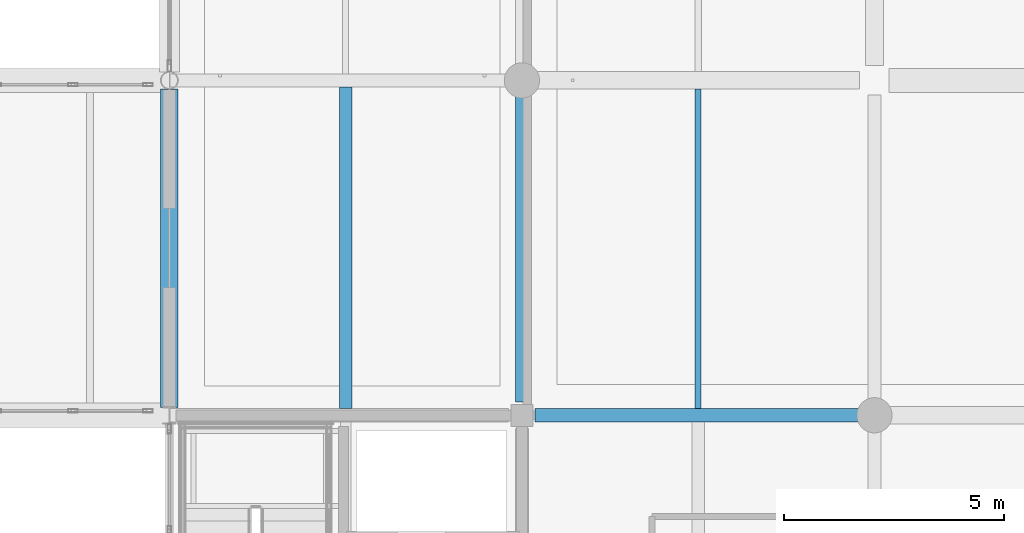
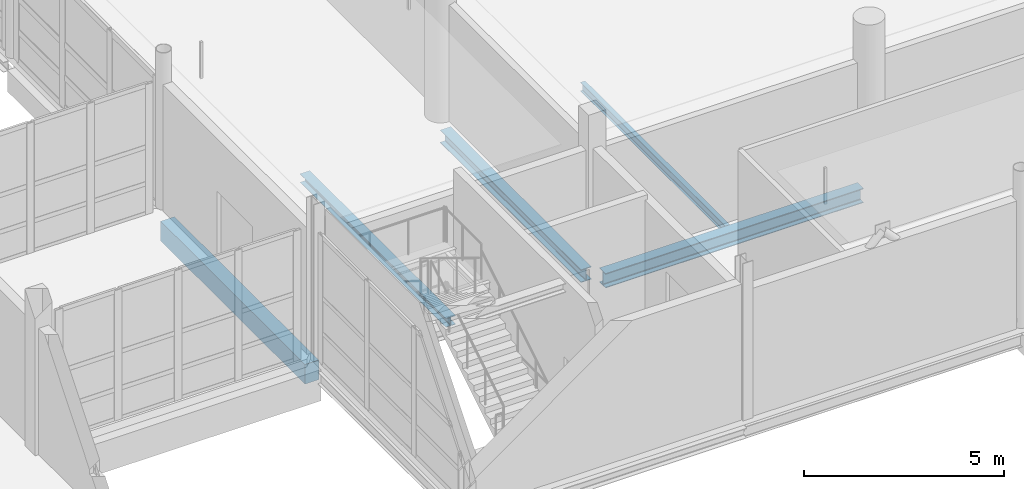
# One storey, part 46 of 141: 5 beams.
"""IFC4 building model written with IfcOpenShell, lengths in metres."""

from ifc_helpers import new_model, si_unit, direction, frame, origin, origin_2d, place, context, subcontext, project, spatial, rectangle, i_section, extrude, material, material_profile, profile_set, type_object, element, save


model = new_model("IFC4")

# Units and contexts
model_context = context("Model", 3, precision=1e-05, world=origin(), true_north=direction((0.0, 1.0)))
body_context = subcontext(model_context, "Body", "Model", "MODEL_VIEW")
ifc_project = project(units=[si_unit("LENGTHUNIT", "METRE"), si_unit("AREAUNIT", "SQUARE_METRE"), si_unit("VOLUMEUNIT", "CUBIC_METRE"), si_unit("PLANEANGLEUNIT", "RADIAN"), si_unit("MASSUNIT", "GRAM", prefix="KILO")], contexts=[model_context])

# Site, building, storey
site_placement = place(None, origin())
site = spatial("IfcSite", under=ifc_project, at=site_placement, CompositionType="ELEMENT")
building_placement = place(site_placement, origin())
building = spatial("IfcBuilding", under=site, at=building_placement, Name="Khelvaren Railside Concert Hall", CompositionType="ELEMENT")
storey_placement = place(building_placement, frame((0.0, 0.0, 10.199951171875)))
storey = spatial("IfcBuildingStorey", under=building, at=storey_placement, Name="L02", CompositionType="ELEMENT", Elevation=10.199951171875)

# Beams
ifc_material_1 = material(Name="Steel S355", Category="steel")
ifc_material_profile_1 = material_profile(ifc_material_1, i_section(OverallWidth=0.300048828125, OverallDepth=0.389892578125, WebThickness=0.010986328125, FlangeThickness=0.01904296875, FilletRadius=0.027099609375, at=origin_2d()), Name="HEA 400")
ifc_profile_set_1 = profile_set([ifc_material_profile_1], Name="Steel S355")
beam_type_1 = type_object("IfcBeamType", Name="BM23", PredefinedType="BEAM", material=ifc_profile_set_1)
beam_1_placement = place(storey_placement, frame((152.0, 7.89990234375, -0.48486328125), z_axis=(0.0, 1.0, 0.0), x_axis=(-1.0, 0.0, 0.0)))
element("IfcBeam", 1, at=beam_1_placement, inside=storey, type_object=beam_type_1, Name="V2 L02 Beam Y2.2", PredefinedType="BEAM", context=body_context, shape_type="SweptSolid", body=[
    extrude(i_section(OverallWidth=0.300048828125, OverallDepth=0.389892578125, WebThickness=0.010986328125, FlangeThickness=0.01904296875, FilletRadius=0.027099609375, at=origin_2d()), origin(), (0.0, 0.0, 1.0), 7.050048828125),
])
ifc_material_profile_2 = material_profile(ifc_material_1, i_section(OverallWidth=0.300048828125, OverallDepth=0.43994140625, WebThickness=0.011474609375, FlangeThickness=0.02099609375, FilletRadius=0.027099609375, at=origin_2d()), Name="HEA 450")
ifc_profile_set_2 = profile_set([ifc_material_profile_2], Name="Steel S355")
beam_type_2 = type_object("IfcBeamType", Name="BM89", PredefinedType="BEAM", material=ifc_profile_set_2)
beam_2_placement = place(storey_placement, frame((152.300048828125, 7.60009765625, -0.510009765625), z_axis=(1.0, 0.0, 0.0), x_axis=(0.0, 1.0, 0.0)))
element("IfcBeam", 2, at=beam_2_placement, inside=storey, type_object=beam_type_2, Name="V2 L02 Beam X2.2", PredefinedType="BEAM", context=body_context, shape_type="SweptSolid", body=[
    extrude(i_section(OverallWidth=0.300048828125, OverallDepth=0.43994140625, WebThickness=0.011474609375, FlangeThickness=0.02099609375, FilletRadius=0.027099609375, at=origin_2d()), origin(), (0.0, 0.0, 1.0), 7.449951171875),
])
ifc_material_profile_3 = material_profile(ifc_material_1, i_section(OverallWidth=0.280029296875, OverallDepth=0.27001953125, WebThickness=0.008056640625, FlangeThickness=0.012939453125, FilletRadius=0.02392578125, at=origin_2d()), Name="HEA 280")
ifc_profile_set_3 = profile_set([ifc_material_profile_3], Name="Steel S355")
beam_type_3 = type_object("IfcBeamType", Name="JS46", PredefinedType="JOIST", material=ifc_profile_set_3)
beam_3_placement = place(storey_placement, frame((148.0, 7.75, -0.425048828125), z_axis=(0.0, 1.0, 0.0), x_axis=(-1.0, 0.0, 0.0)))
element("IfcBeam", 3, at=beam_3_placement, inside=storey, type_object=beam_type_3, Name="V2 L02 Secondary Joist 1.2", PredefinedType="JOIST", context=body_context, shape_type="SweptSolid", body=[
    extrude(i_section(OverallWidth=0.280029296875, OverallDepth=0.27001953125, WebThickness=0.008056640625, FlangeThickness=0.012939453125, FilletRadius=0.02392578125, at=origin_2d()), origin(), (0.0, 0.0, 1.0), 7.300048828125),
])
ifc_material_profile_4 = material_profile(ifc_material_1, i_section(OverallWidth=0.135009765625, OverallDepth=0.27001953125, WebThickness=0.006591796875, FlangeThickness=0.01025390625, FilletRadius=0.014892578125, at=origin_2d()), Name="IPE 270")
ifc_profile_set_4 = profile_set([ifc_material_profile_4], Name="Steel S355")
beam_type_4 = type_object("IfcBeamType", Name="JS78", PredefinedType="JOIST", material=ifc_profile_set_4)
beam_4_placement = place(storey_placement, frame((156.0, 7.75, -0.425048828125), z_axis=(0.0, 1.0, 0.0), x_axis=(-1.0, 0.0, 0.0)))
element("IfcBeam", 4, at=beam_4_placement, inside=storey, type_object=beam_type_4, Name="V2 L02 Secondary Joist 2.2", PredefinedType="JOIST", context=body_context, shape_type="SweptSolid", body=[
    extrude(i_section(OverallWidth=0.135009765625, OverallDepth=0.27001953125, WebThickness=0.006591796875, FlangeThickness=0.01025390625, FilletRadius=0.014892578125, at=origin_2d()), origin(), (0.0, 0.0, 1.0), 7.25),
])
ifc_material_2 = material(Name="Concrete C40/50", Category="concrete")
ifc_material_profile_5 = material_profile(ifc_material_2, rectangle(XDim=0.39990234375, YDim=0.60009765625, at=origin_2d()), Name="RCB 400x600")
ifc_profile_set_5 = profile_set([ifc_material_profile_5], Name="Concrete C40/50")
beam_type_5 = type_object("IfcBeamType", Name="SP75", PredefinedType="SPANDREL", material=ifc_profile_set_5)
beam_5_placement = place(storey_placement, frame((144.0, 7.780029296875, -0.58984375), z_axis=(0.0, 1.0, 0.0), x_axis=(-1.0, 0.0, 0.0)))
element("IfcBeam", 5, at=beam_5_placement, inside=storey, type_object=beam_type_5, Name="V2 L02 Spandrel Y1.2", PredefinedType="SPANDREL", context=body_context, shape_type="SweptSolid", body=[
    extrude(rectangle(XDim=0.39990234375, YDim=0.60009765625, at=origin_2d()), origin(), (0.0, 0.0, 1.0), 7.224853515625),
])

save(model, "model.ifc")
